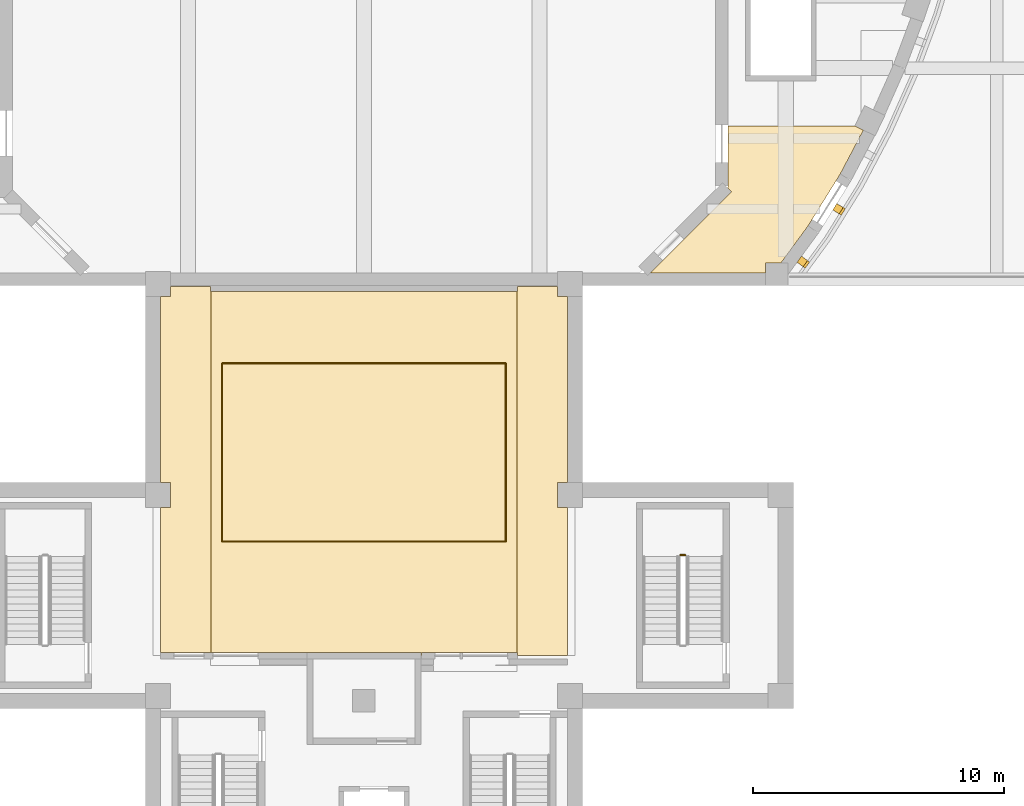
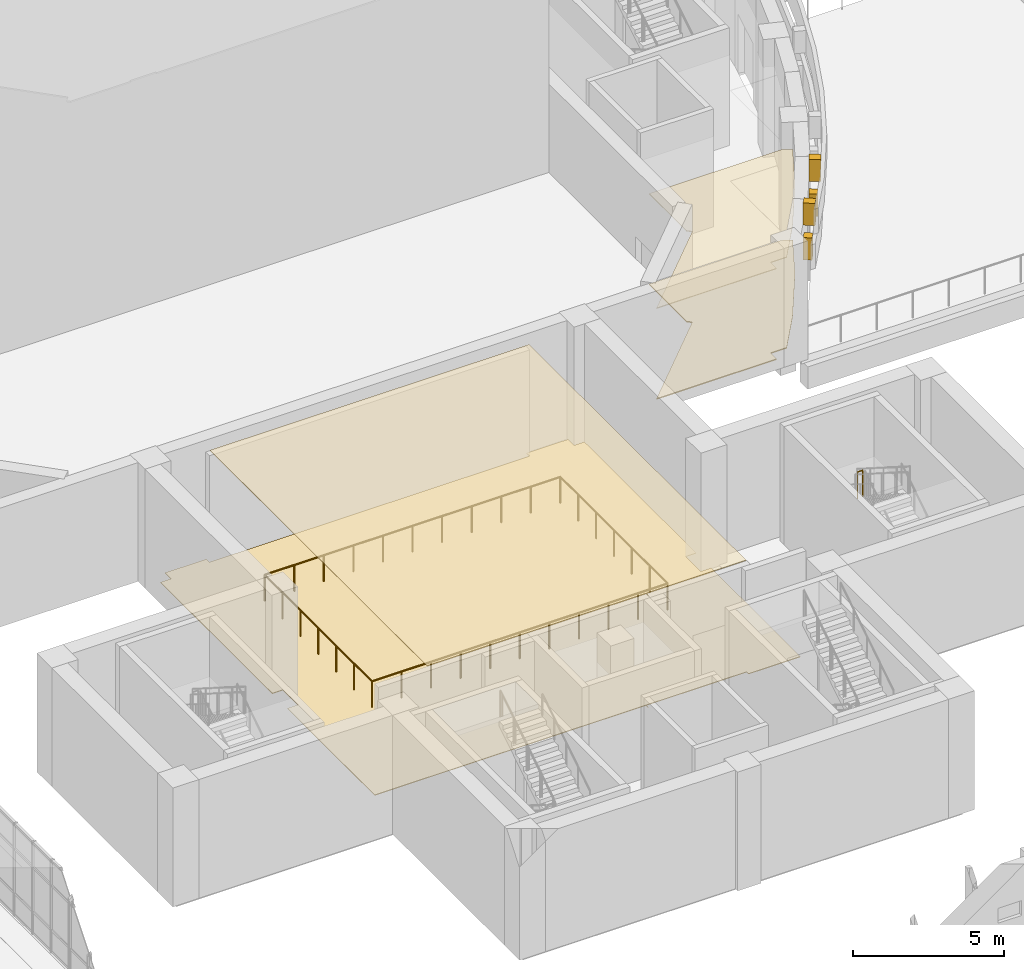
# One storey, part 93 of 119: 8 coverings, 3 railings.
"""IFC4 building model written with IfcOpenShell, lengths in metres."""

from ifc_helpers import new_model, si_unit, direction, frame, origin, origin_2d, place, context, subcontext, project, spatial, polyline, rectangle, circle, outline, extrude, material, layer, layer_set, type_object, element, save


model = new_model("IFC4")

# Units and contexts
model_context = context("Model", 3, precision=1e-05, world=origin(), true_north=direction((0.0, 1.0)))
body_context = subcontext(model_context, "Body", "Model", "MODEL_VIEW")
ifc_project = project(units=[si_unit("LENGTHUNIT", "METRE"), si_unit("AREAUNIT", "SQUARE_METRE"), si_unit("VOLUMEUNIT", "CUBIC_METRE"), si_unit("PLANEANGLEUNIT", "RADIAN"), si_unit("MASSUNIT", "GRAM", prefix="KILO")], contexts=[model_context])

# Site, building, storey
site_placement = place(None, origin())
site = spatial("IfcSite", under=ifc_project, at=site_placement, CompositionType="ELEMENT")
building_placement = place(site_placement, origin())
building = spatial("IfcBuilding", under=site, at=building_placement, Name="Larchfold Concert Hall", CompositionType="ELEMENT")
storey_placement = place(building_placement, frame((0.0, 0.0, 4.800048828125)))
storey = spatial("IfcBuildingStorey", under=building, at=storey_placement, Name="L01", CompositionType="ELEMENT", Elevation=4.800048828125)

# Coverings
ifc_material_1 = material(Name="Plasterboard ceiling lining")
ifc_layer_1 = layer(ifc_material_1, 0.030029296875)
ifc_layer_set_1 = layer_set([ifc_layer_1], Name="Plasterboard ceiling lining")
covering_type_1 = type_object("IfcCoveringType", Name="Ceiling suspended plasterboard 30", PredefinedType="CEILING", material=ifc_layer_set_1)
covering_1_placement = place(storey_placement, frame((0.0, 0.0, 3.669921875)))
element("IfcCovering", 1, at=covering_1_placement, inside=storey, type_object=covering_type_1, Name="Ceiling Hall Foyer South East", PredefinedType="CEILING", context=body_context, shape_type="SweptSolid", body=[
    extrude(outline(polyline([(61.56884765625, 63.580078125), (62.492919921875, 65.332763671875), (62.147705078125, 65.5), (57.10009765625, 65.5), (57.10009765625, 63.050048828125), (57.0859375, 63.035888671875), (57.23779296875, 62.884033203125), (54.003662109375, 59.64990234375), (58.59716796875, 59.64990234375), (58.59716796875, 60.0498046875), (59.213134765625, 60.0498046875), (60.286376953125, 61.515380859375), (61.56884765625, 63.580078125)])), origin(), (0.0, 0.0, 1.0), 0.030029296875),
])
ifc_material_2 = material(Name="Polished terrazzo")
ifc_layer_2 = layer(ifc_material_2, 0.0400390625)
ifc_layer_set_2 = layer_set([ifc_layer_2], Name="Polished terrazzo")
covering_type_2 = type_object("IfcCoveringType", Name="Floor finish terrazzo 40", PredefinedType="FLOORING", material=ifc_layer_set_2)
covering_2_placement = place(storey_placement, origin())
element("IfcCovering", 2, at=covering_2_placement, inside=storey, type_object=covering_type_2, Name="Floor finish Hall Foyer South East", PredefinedType="FLOORING", context=body_context, shape_type="SweptSolid", body=[
    extrude(outline(polyline([(61.56884765625, 63.580078125), (62.492919921875, 65.332763671875), (62.147705078125, 65.5), (57.10009765625, 65.5), (57.10009765625, 63.050048828125), (57.0859375, 63.035888671875), (57.23779296875, 62.884033203125), (54.003662109375, 59.64990234375), (58.59716796875, 59.64990234375), (58.59716796875, 60.0498046875), (59.213134765625, 60.0498046875), (60.286376953125, 61.515380859375), (61.56884765625, 63.580078125)])), origin(), (0.0, 0.0, 1.0), 0.0400390625),
])
ifc_material_3 = material(Name="Oak boards on battens")
ifc_layer_3 = layer(ifc_material_3, 0.02490234375)
ifc_layer_set_3 = layer_set([ifc_layer_3], Name="Oak boards on battens")
covering_type_3 = type_object("IfcCoveringType", Name="Floor finish timber boards 25", PredefinedType="FLOORING", material=ifc_layer_set_3)
covering_3_placement = place(storey_placement, origin())
element("IfcCovering", 3, at=covering_3_placement, inside=storey, type_object=covering_type_3, Name="Floor finish Stage", PredefinedType="FLOORING", context=body_context, shape_type="SweptSolid", body=[
    extrude(outline(polyline([(34.5, 50.300048828125), (34.5, 44.52490234375), (44.875, 44.52490234375), (44.875, 44.39990234375), (44.885009765625, 44.39990234375), (44.885009765625, 44.52490234375), (48.719970703125, 44.52490234375), (48.719970703125, 44.39990234375), (50.699951171875, 44.39990234375), (50.699951171875, 50.300048828125), (50.300048828125, 50.300048828125), (50.300048828125, 51.300048828125), (50.699951171875, 51.300048828125), (50.699951171875, 58.699951171875), (50.300048828125, 58.699951171875), (50.300048828125, 59.10009765625), (48.719970703125, 59.10009765625), (48.719970703125, 58.89794921875), (36.47998046875, 58.89794921875), (36.47998046875, 59.10009765625), (34.89990234375, 59.10009765625), (34.89990234375, 58.699951171875), (34.5, 58.699951171875), (34.5, 51.300048828125), (34.89990234375, 51.300048828125), (34.89990234375, 50.300048828125), (34.5, 50.300048828125)])), origin(), (0.0, 0.0, 1.0), 0.02490234375),
])
covering_4_placement = place(storey_placement, frame((0.0, 0.0, 4.52001953125)))
element("IfcCovering", 4, at=covering_4_placement, inside=storey, type_object=covering_type_3, Name="Floor finish Stage Fly Tower", PredefinedType="FLOORING", context=body_context, shape_type="SweptSolid", body=[
    extrude(outline(polyline([(36.5, 58.89794921875), (36.5, 44.52490234375), (44.875, 44.52490234375), (44.875, 44.39990234375), (44.885009765625, 44.39990234375), (44.885009765625, 44.52490234375), (48.699951171875, 44.52490234375), (48.699951171875, 58.89794921875), (36.5, 58.89794921875)])), origin(), (0.0, 0.0, 1.0), 0.02490234375),
])

# Railings
ifc_material_4 = material(Name="Stainless steel balustrade", Category="steel")
railing_type_1 = type_object("IfcRailingType", Name="Opening guard 1100", PredefinedType="GUARDRAIL", material=ifc_material_4)
railing_1_placement = place(storey_placement, frame((36.949951171875, 56.050048828125, 0.0)))
element("IfcRailing", 5, at=railing_1_placement, inside=storey, type_object=railing_type_1, Name="Guard GR0119", PredefinedType="GUARDRAIL", context=body_context, shape_type="SweptSolid", body=[
    extrude(circle(Radius=0.02392578125, at=origin_2d()), frame((0.0, 0.0, 1.076171875), z_axis=(0.0, -1.0, 0.0), x_axis=(1.0, 0.0, 0.0)), (0.0, 0.0, 1.0), 7.10009765625),
    extrude(circle(Radius=0.02392578125, at=origin_2d()), frame((0.0, -7.10009765625, 1.076171875), z_axis=(1.0, 0.0, 0.0), x_axis=(0.0, 1.0, 0.0)), (0.0, 0.0, 1.0), 11.300048828125),
    extrude(circle(Radius=0.02099609375, at=origin_2d()), origin(), (0.0, 0.0, 1.0), 1.052001953125),
    extrude(circle(Radius=0.02099609375, at=origin_2d()), frame((0.0, -1.183349609375, 0.0)), (0.0, 0.0, 1.0), 1.052001953125),
    extrude(circle(Radius=0.02099609375, at=origin_2d()), frame((0.0, -2.36669921875, 0.0)), (0.0, 0.0, 1.0), 1.052001953125),
    extrude(circle(Radius=0.02099609375, at=origin_2d()), frame((0.0, -3.550048828125, 0.0)), (0.0, 0.0, 1.0), 1.052001953125),
    extrude(circle(Radius=0.02099609375, at=origin_2d()), frame((0.0, -4.7333984375, 0.0)), (0.0, 0.0, 1.0), 1.052001953125),
    extrude(circle(Radius=0.02099609375, at=origin_2d()), frame((0.0, -5.916748046875, 0.0)), (0.0, 0.0, 1.0), 1.052001953125),
    extrude(circle(Radius=0.02099609375, at=origin_2d()), frame((0.0, -7.10009765625, 0.0)), (0.0, 0.0, 1.0), 1.052001953125),
    extrude(circle(Radius=0.02099609375, at=origin_2d()), frame((1.1298828125, -7.10009765625, 0.0)), (0.0, 0.0, 1.0), 1.052001953125),
    extrude(circle(Radius=0.02099609375, at=origin_2d()), frame((2.260009765625, -7.10009765625, 0.0)), (0.0, 0.0, 1.0), 1.052001953125),
    extrude(circle(Radius=0.02099609375, at=origin_2d()), frame((3.39013671875, -7.10009765625, 0.0)), (0.0, 0.0, 1.0), 1.052001953125),
    extrude(circle(Radius=0.02099609375, at=origin_2d()), frame((4.52001953125, -7.10009765625, 0.0)), (0.0, 0.0, 1.0), 1.052001953125),
    extrude(circle(Radius=0.02099609375, at=origin_2d()), frame((5.64990234375, -7.10009765625, 0.0)), (0.0, 0.0, 1.0), 1.052001953125),
    extrude(circle(Radius=0.02099609375, at=origin_2d()), frame((6.780029296875, -7.10009765625, 0.0)), (0.0, 0.0, 1.0), 1.052001953125),
    extrude(circle(Radius=0.02099609375, at=origin_2d()), frame((7.909912109375, -7.10009765625, 0.0)), (0.0, 0.0, 1.0), 1.052001953125),
    extrude(circle(Radius=0.02099609375, at=origin_2d()), frame((9.0400390625, -7.10009765625, 0.0)), (0.0, 0.0, 1.0), 1.052001953125),
    extrude(circle(Radius=0.02099609375, at=origin_2d()), frame((10.169921875, -7.10009765625, 0.0)), (0.0, 0.0, 1.0), 1.052001953125),
    extrude(circle(Radius=0.02099609375, at=origin_2d()), frame((11.300048828125, -7.10009765625, 0.0)), (0.0, 0.0, 1.0), 1.052001953125),
])
railing_2_placement = place(storey_placement, frame((48.25, 48.949951171875, 0.0)))
element("IfcRailing", 6, at=railing_2_placement, inside=storey, type_object=railing_type_1, Name="Guard GR0120", PredefinedType="GUARDRAIL", context=body_context, shape_type="SweptSolid", body=[
    extrude(circle(Radius=0.02392578125, at=origin_2d()), frame((0.0, 0.0, 1.076171875), z_axis=(0.0, 1.0, 0.0), x_axis=(-1.0, 0.0, 0.0)), (0.0, 0.0, 1.0), 7.10009765625),
    extrude(circle(Radius=0.02392578125, at=origin_2d()), frame((0.0, 7.10009765625, 1.076171875), z_axis=(-1.0, 0.0, 0.0), x_axis=(0.0, -1.0, 0.0)), (0.0, 0.0, 1.0), 11.300048828125),
    extrude(circle(Radius=0.02099609375, at=origin_2d()), origin(), (0.0, 0.0, 1.0), 1.052001953125),
    extrude(circle(Radius=0.02099609375, at=origin_2d()), frame((0.0, 1.183349609375, 0.0)), (0.0, 0.0, 1.0), 1.052001953125),
    extrude(circle(Radius=0.02099609375, at=origin_2d()), frame((0.0, 2.36669921875, 0.0)), (0.0, 0.0, 1.0), 1.052001953125),
    extrude(circle(Radius=0.02099609375, at=origin_2d()), frame((0.0, 3.550048828125, 0.0)), (0.0, 0.0, 1.0), 1.052001953125),
    extrude(circle(Radius=0.02099609375, at=origin_2d()), frame((0.0, 4.7333984375, 0.0)), (0.0, 0.0, 1.0), 1.052001953125),
    extrude(circle(Radius=0.02099609375, at=origin_2d()), frame((0.0, 5.916748046875, 0.0)), (0.0, 0.0, 1.0), 1.052001953125),
    extrude(circle(Radius=0.02099609375, at=origin_2d()), frame((0.0, 7.10009765625, 0.0)), (0.0, 0.0, 1.0), 1.052001953125),
    extrude(circle(Radius=0.02099609375, at=origin_2d()), frame((-1.1298828125, 7.10009765625, 0.0)), (0.0, 0.0, 1.0), 1.052001953125),
    extrude(circle(Radius=0.02099609375, at=origin_2d()), frame((-2.260009765625, 7.10009765625, 0.0)), (0.0, 0.0, 1.0), 1.052001953125),
    extrude(circle(Radius=0.02099609375, at=origin_2d()), frame((-3.39013671875, 7.10009765625, 0.0)), (0.0, 0.0, 1.0), 1.052001953125),
    extrude(circle(Radius=0.02099609375, at=origin_2d()), frame((-4.52001953125, 7.10009765625, 0.0)), (0.0, 0.0, 1.0), 1.052001953125),
    extrude(circle(Radius=0.02099609375, at=origin_2d()), frame((-5.64990234375, 7.10009765625, 0.0)), (0.0, 0.0, 1.0), 1.052001953125),
    extrude(circle(Radius=0.02099609375, at=origin_2d()), frame((-6.780029296875, 7.10009765625, 0.0)), (0.0, 0.0, 1.0), 1.052001953125),
    extrude(circle(Radius=0.02099609375, at=origin_2d()), frame((-7.909912109375, 7.10009765625, 0.0)), (0.0, 0.0, 1.0), 1.052001953125),
    extrude(circle(Radius=0.02099609375, at=origin_2d()), frame((-9.0400390625, 7.10009765625, 0.0)), (0.0, 0.0, 1.0), 1.052001953125),
    extrude(circle(Radius=0.02099609375, at=origin_2d()), frame((-10.169921875, 7.10009765625, 0.0)), (0.0, 0.0, 1.0), 1.052001953125),
    extrude(circle(Radius=0.02099609375, at=origin_2d()), frame((-11.300048828125, 7.10009765625, 0.0)), (0.0, 0.0, 1.0), 1.052001953125),
])

# Coverings
ifc_material_5 = material(Name="Galvanised steel bracket", Category="steel")
ifc_layer_4 = layer(ifc_material_5, 0.300048828125)
ifc_layer_set_4 = layer_set([ifc_layer_4], Name="Galvanised steel bracket")
covering_type_4 = type_object("IfcCoveringType", Name="Ring support bracket", PredefinedType="CLADDING", material=ifc_layer_set_4)
for number, where, z_axis, x_axis, name in (
    (7, (60.058349609375, 60.104248046875, 3.35009765625), (0.0, 0.0, 1.0), (0.80684915404, -0.590757515927, 0.0), "Ring bracket BR-R01-27"),
    (8, (61.479248046875, 62.2041015625, 3.35009765625), (0.0, 0.0, 1.0), (0.849390839977, -0.527764342263, 0.0), "Ring bracket BR-R01-28"),
):
    element("IfcCovering", number, at=place(storey_placement, frame(where, z_axis=z_axis, x_axis=x_axis)), inside=storey, type_object=covering_type_4, Name=name, PredefinedType="CLADDING", context=body_context, shape_type="SweptSolid", body=[
        extrude(rectangle(XDim=0.300048828125, YDim=0.300048828125, at=origin_2d()), origin(), (0.0, 0.0, 1.0), 0.89990234375),
    ])
for number, where, z_axis, x_axis, name in (
    (9, (60.0986328125, 60.07470703125, 4.75), (0.0, 0.0, 1.0), (0.80684915404, -0.590757515927, 0.0), "Ring bracket BR-R02-27"),
    (10, (61.521728515625, 62.177734375, 4.75), (0.0, 0.0, 1.0), (0.849390839977, -0.527764342263, 0.0), "Ring bracket BR-R02-28"),
):
    element("IfcCovering", number, at=place(storey_placement, frame(where, z_axis=z_axis, x_axis=x_axis)), inside=storey, type_object=covering_type_4, Name=name, PredefinedType="CLADDING", context=body_context, shape_type="SweptSolid", body=[
        extrude(rectangle(XDim=0.39990234375, YDim=0.300048828125, at=origin_2d()), origin(), (0.0, 0.0, 1.0), 0.89990234375),
    ])

# Railing
ifc_material_6 = material(Name="Stainless steel balustrade", Category="steel")
railing_type_2 = type_object("IfcRailingType", Name="Stair guard 1100", PredefinedType="GUARDRAIL", material=ifc_material_6)
railing_3_placement = place(storey_placement, frame((55.39990234375, 48.41015625, 2.39990234375)))
element("IfcRailing", 11, at=railing_3_placement, inside=storey, type_object=railing_type_2, Name="Guard GR0040", PredefinedType="GUARDRAIL", context=body_context, shape_type="SweptSolid", body=[
    extrude(circle(Radius=0.02392578125, at=origin_2d()), frame((0.0, 0.0, 1.076171875), z_axis=(-1.0, 0.0, 0.0), x_axis=(0.0, -1.0, 0.0)), (0.0, 0.0, 1.0), 0.199951171875),
    extrude(circle(Radius=0.02099609375, at=origin_2d()), origin(), (0.0, 0.0, 1.0), 1.052001953125),
    extrude(circle(Radius=0.02099609375, at=origin_2d()), frame((-0.199951171875, 0.0, 0.0)), (0.0, 0.0, 1.0), 1.052001953125),
])

save(model, "model.ifc")
